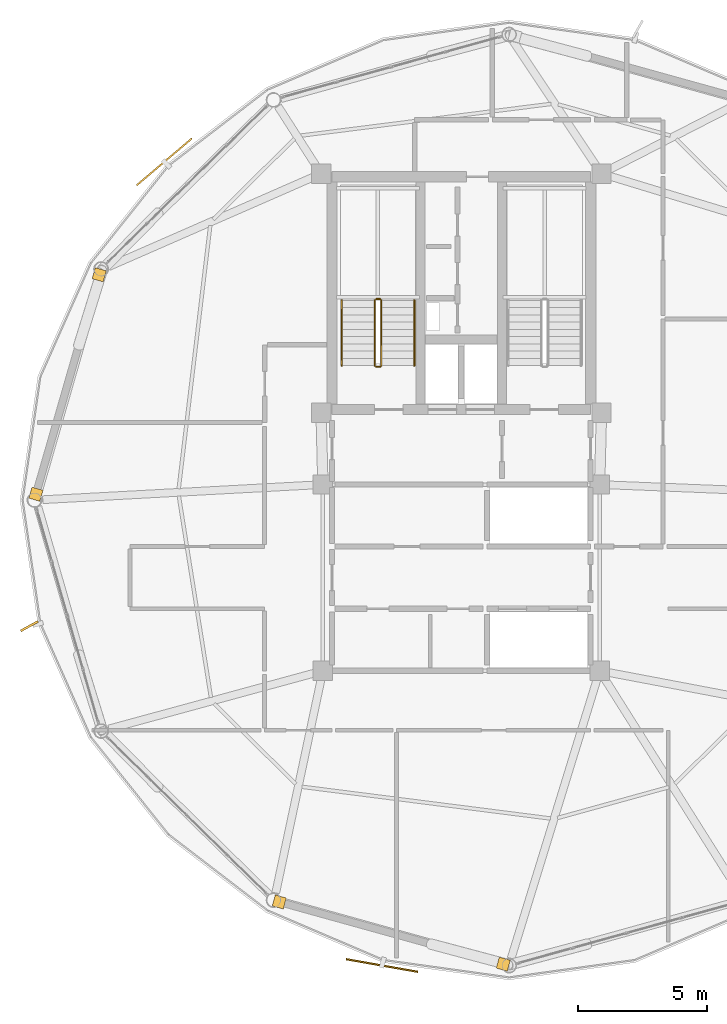
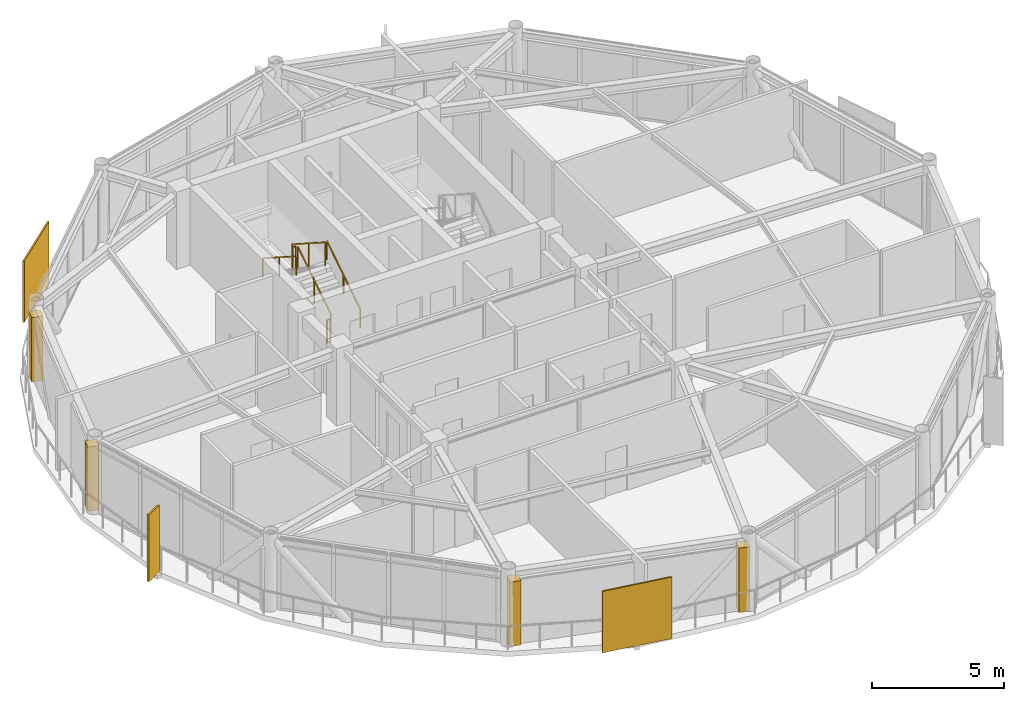
# One storey, part 24 of 26: 6 railings, 4 coverings, 3 shading devices.
"""IFC4 building model written with IfcOpenShell, lengths in metres."""

from ifc_helpers import new_model, si_unit, direction, frame, origin, origin_2d, place, context, subcontext, project, spatial, rectangle, extrude, source, transform, mapped, material, layer, layer_set, type_object, type_shapes, element, save


model = new_model("IFC4")

# Units and contexts
model_context = context("Model", 3, precision=1e-05, world=origin(), true_north=direction((0.0, 1.0)))
body_context = subcontext(model_context, "Body", "Model", "MODEL_VIEW")
ifc_project = project(units=[si_unit("LENGTHUNIT", "METRE"), si_unit("AREAUNIT", "SQUARE_METRE"), si_unit("VOLUMEUNIT", "CUBIC_METRE"), si_unit("PLANEANGLEUNIT", "RADIAN"), si_unit("MASSUNIT", "GRAM", prefix="KILO")], contexts=[model_context])

# Site, building, storey
site_placement = place(None, origin())
site = spatial("IfcSite", under=ifc_project, at=site_placement, CompositionType="ELEMENT")
building_placement = place(site_placement, origin())
building = spatial("IfcBuilding", under=site, at=building_placement, Name="Varnakorn Sky Granary", CompositionType="ELEMENT")
storey_placement = place(building_placement, frame((0.0, 0.0, 256.199951171875)))
storey = spatial("IfcBuildingStorey", under=building, at=storey_placement, Name="L65", CompositionType="ELEMENT", Elevation=256.199951171875)

# Railings
ifc_material_1 = material(Name="Brushed Stainless Steel 316", Category="steel")
railing_type_1 = type_object("IfcRailingType", Name="RL-STAIR-1100", PredefinedType="GUARDRAIL", material=ifc_material_1)
railing_1_placement = place(storey_placement, frame((-0.090087890625, 5.199951171875, 0.179931640625)))
element("IfcRailing", 1, at=railing_1_placement, inside=storey, type_object=railing_type_1, Name="L65 ST-1 stair guard 1", PredefinedType="GUARDRAIL", context=body_context, shape_type="SweptSolid", body=[
    extrude(rectangle(XDim=0.048095703125, YDim=0.048095703125, at=origin_2d()), frame((0.0, 0.0, 1.076171875), z_axis=(0.0, 0.841162588446, 0.540782303519), x_axis=(-1.0, 0.0, 0.0)), (0.0, 0.0, 1.0), 2.995849609375),
    extrude(rectangle(XDim=0.0419921875, YDim=0.0419921875, at=origin_2d()), origin(), (0.0, 0.0, 1.0), 1.048095703125),
    extrude(rectangle(XDim=0.0419921875, YDim=0.0419921875, at=origin_2d()), frame((0.0, 1.260009765625, 0.81005859375)), (0.0, 0.0, 1.0), 1.048095703125),
    extrude(rectangle(XDim=0.0419921875, YDim=0.0419921875, at=origin_2d()), frame((0.0, 2.52001953125, 1.6201171875)), (0.0, 0.0, 1.0), 1.048095703125),
])
railing_2_placement = place(storey_placement, frame((-0.139892578125, 7.77001953125, 1.800048828125)))
element("IfcRailing", 2, at=railing_2_placement, inside=storey, type_object=railing_type_1, Name="L65 ST-1 stair guard 2", PredefinedType="GUARDRAIL", context=body_context, shape_type="SweptSolid", body=[
    extrude(rectangle(XDim=0.048095703125, YDim=0.048095703125, at=origin_2d()), frame((0.0, 0.0, 1.076171875), z_axis=(-1.0, 0.0, 0.0), x_axis=(0.0, -1.0, 0.0)), (0.0, 0.0, 1.0), 0.150146484375),
    extrude(rectangle(XDim=0.0419921875, YDim=0.0419921875, at=origin_2d()), origin(), (0.0, 0.0, 1.0), 1.048095703125),
    extrude(rectangle(XDim=0.0419921875, YDim=0.0419921875, at=origin_2d()), frame((-0.150146484375, 0.0, 0.0)), (0.0, 0.0, 1.0), 1.048095703125),
])
railing_3_placement = place(storey_placement, frame((-0.340087890625, 7.719970703125, 1.97998046875)))
element("IfcRailing", 3, at=railing_3_placement, inside=storey, type_object=railing_type_1, Name="L65 ST-1 stair guard 3", PredefinedType="GUARDRAIL", context=body_context, shape_type="SweptSolid", body=[
    extrude(rectangle(XDim=0.048095703125, YDim=0.048095703125, at=origin_2d()), frame((0.0, 0.0, 1.076171875), z_axis=(0.0, -0.841162588446, 0.540782303519), x_axis=(1.0, 0.0, 0.0)), (0.0, 0.0, 1.0), 2.995849609375),
    extrude(rectangle(XDim=0.0419921875, YDim=0.0419921875, at=origin_2d()), origin(), (0.0, 0.0, 1.0), 1.048095703125),
    extrude(rectangle(XDim=0.0419921875, YDim=0.0419921875, at=origin_2d()), frame((0.0, -1.260009765625, 0.81005859375)), (0.0, 0.0, 1.0), 1.048095703125),
    extrude(rectangle(XDim=0.0419921875, YDim=0.0419921875, at=origin_2d()), frame((0.0, -2.52001953125, 1.6201171875)), (0.0, 0.0, 1.0), 1.048095703125),
])
railing_4_placement = place(storey_placement, frame((-0.139892578125, 5.14990234375, 0.0)))
element("IfcRailing", 4, at=railing_4_placement, inside=storey, type_object=railing_type_1, Name="L65 ST-1 stair guard 4", PredefinedType="GUARDRAIL", context=body_context, shape_type="SweptSolid", body=[
    extrude(rectangle(XDim=0.048095703125, YDim=0.048095703125, at=origin_2d()), frame((0.0, 0.0, 1.076171875), z_axis=(-1.0, 0.0, 0.0), x_axis=(0.0, -1.0, 0.0)), (0.0, 0.0, 1.0), 0.150146484375),
    extrude(rectangle(XDim=0.0419921875, YDim=0.0419921875, at=origin_2d()), origin(), (0.0, 0.0, 1.0), 1.048095703125),
    extrude(rectangle(XDim=0.0419921875, YDim=0.0419921875, at=origin_2d()), frame((-0.150146484375, 0.0, 0.0)), (0.0, 0.0, 1.0), 1.048095703125),
])
railing_type_2 = type_object("IfcRailingType", Name="RL-STAIR-920", PredefinedType="HANDRAIL", material=ifc_material_1)
railing_5_placement = place(storey_placement, frame((1.18994140625, 5.199951171875, 0.179931640625)))
element("IfcRailing", 5, at=railing_5_placement, inside=storey, type_object=railing_type_2, Name="L65 ST-1 stair handrail 1", PredefinedType="HANDRAIL", context=body_context, shape_type="SweptSolid", body=[
    extrude(rectangle(XDim=0.048095703125, YDim=0.048095703125, at=origin_2d()), frame((0.0, 0.0, 0.8759765625), z_axis=(0.0, 0.841162588446, 0.540782303519), x_axis=(-1.0, 0.0, 0.0)), (0.0, 0.0, 1.0), 2.995849609375),
    extrude(rectangle(XDim=0.0419921875, YDim=0.0419921875, at=origin_2d()), origin(), (0.0, 0.0, 1.0), 0.847900390625),
    extrude(rectangle(XDim=0.0419921875, YDim=0.0419921875, at=origin_2d()), frame((0.0, 1.260009765625, 0.81005859375)), (0.0, 0.0, 1.0), 0.847900390625),
    extrude(rectangle(XDim=0.0419921875, YDim=0.0419921875, at=origin_2d()), frame((0.0, 2.52001953125, 1.6201171875)), (0.0, 0.0, 1.0), 0.847900390625),
])
railing_6_placement = place(storey_placement, frame((-1.6201171875, 7.719970703125, 1.97998046875)))
element("IfcRailing", 6, at=railing_6_placement, inside=storey, type_object=railing_type_2, Name="L65 ST-1 stair handrail 2", PredefinedType="HANDRAIL", context=body_context, shape_type="SweptSolid", body=[
    extrude(rectangle(XDim=0.048095703125, YDim=0.048095703125, at=origin_2d()), frame((0.0, 0.0, 0.8759765625), z_axis=(0.0, -0.841162588446, 0.540782303519), x_axis=(1.0, 0.0, 0.0)), (0.0, 0.0, 1.0), 2.995849609375),
    extrude(rectangle(XDim=0.0419921875, YDim=0.0419921875, at=origin_2d()), origin(), (0.0, 0.0, 1.0), 0.847900390625),
    extrude(rectangle(XDim=0.0419921875, YDim=0.0419921875, at=origin_2d()), frame((0.0, -1.260009765625, 0.81005859375)), (0.0, 0.0, 1.0), 0.847900390625),
    extrude(rectangle(XDim=0.0419921875, YDim=0.0419921875, at=origin_2d()), frame((0.0, -2.52001953125, 1.6201171875)), (0.0, 0.0, 1.0), 0.847900390625),
])

# Coverings
ifc_material_2 = material(Name="Anodised Bronze Aluminium Alloy 6063-T6", Category="aluminium")
ifc_layer = layer(ifc_material_2, 0.050048828125, Name="Anodised Bronze Aluminium Alloy 6063-T6")
ifc_layer_set = layer_set([ifc_layer], Name="Anodised Bronze Aluminium Alloy 6063-T6")
covering_type = type_object("IfcCoveringType", Name="CV-CLAD-50", PredefinedType="CLADDING", material=ifc_layer_set)
shared_shape_1 = source(origin(), body_context, "Body", "SweptSolid", [
    extrude(rectangle(XDim=0.43994140625, YDim=0.43994140625, at=origin_2d()), origin(), (0.0, 0.0, 1.0), 2.989990234375),
])
type_shapes(covering_type, [shared_shape_1])
for number, where, z_axis, x_axis, name in (
    (7, (-13.445068359375, 0.225341796875, -0.02001953125), (0.0, 0.0, 1.0), (0.277146961483, 0.960827540061, 0.0), "Bronze Corner Pilaster Closure L65-P06-A"),
    (8, (-10.998291015625, 8.709716796875, -0.02001953125), (0.0, 0.0, 1.0), (0.277146961483, 0.960827540061, 0.0), "Bronze Corner Pilaster Closure L65-P06-B"),
    (9, (4.6240234375, -17.9423828125, -0.02001953125), (0.0, 0.0, 1.0), (-0.963583796636, 0.267406557249, 0.0), "Bronze Corner Pilaster Closure L65-P09-A"),
    (10, (-4.03662109375, -15.53857421875, -0.02001953125), (0.0, 0.0, 1.0), (-0.963583796636, 0.267406557249, 0.0), "Bronze Corner Pilaster Closure L65-P09-B"),
):
    element("IfcCovering", number, at=place(storey_placement, frame(where, z_axis=z_axis, x_axis=x_axis)), inside=storey, type_object=covering_type, Name=name, PredefinedType="CLADDING", context=body_context, shape_type="MappedRepresentation", body=[
        mapped(shared_shape_1, transform((0.0, 0.0, 0.0), x_axis=(1.0, 0.0, 0.0), y_axis=(0.0, 1.0, 0.0), z_axis=(0.0, 0.0, 1.0), scale=1.0)),
    ])

# Shading devices
shading_device_type_1 = type_object("IfcShadingDeviceType", Name="SH-FIN-03", PredefinedType="USERDEFINED", material=ifc_material_2)
shared_shape_2 = source(origin(), body_context, "Body", "SweptSolid", [
    extrude(rectangle(XDim=0.0849609375, YDim=0.760009765625, at=origin_2d()), origin(), (0.0, 0.0, 1.0), 3.10009765625),
])
type_shapes(shading_device_type_1, [shared_shape_2])
shading_device_placement = place(storey_placement, frame((-13.701171875, -4.876708984375, -0.0400390625), z_axis=(0.0, 0.0, 1.0), x_axis=(0.47961168228, -0.877480845501, 0.0)))
element("IfcShadingDevice", 11, at=shading_device_placement, inside=storey, type_object=shading_device_type_1, Name="Bronze Solar-Tracking Vertical Blade FIN L65-07", ObjectType="FIN", PredefinedType="USERDEFINED", context=body_context, shape_type="MappedRepresentation", body=[
    mapped(shared_shape_2, transform((0.0, 0.0, 0.0), x_axis=(1.0, 0.0, 0.0), y_axis=(0.0, 1.0, 0.0), z_axis=(0.0, 0.0, 1.0), scale=1.0)),
])
shading_device_type_2 = type_object("IfcShadingDeviceType", Name="SH-SCR-03", PredefinedType="USERDEFINED", material=ifc_material_2)
shared_shape_3 = source(origin(), body_context, "Body", "SweptSolid", [
    extrude(rectangle(XDim=2.800048828125, YDim=0.06494140625, at=origin_2d()), origin(), (0.0, 0.0, 1.0), 2.85009765625),
])
type_shapes(shading_device_type_2, [shared_shape_3])
for number, where, z_axis, x_axis, name in (
    (12, (-8.480712890625, 13.076416015625, -0.0400390625), (0.0, 0.0, 1.0), (-0.762646936333, -0.646815004852, 0.0), "Perforated Bronze Solar Screen Panel SCREEN L65-05"),
    (13, (-0.064697265625, -17.994873046875, -0.0400390625), (0.0, 0.0, 1.0), (0.984728119985, -0.17409919503, 0.0), "Perforated Bronze Solar Screen Panel SCREEN L65-09"),
):
    element("IfcShadingDevice", number, at=place(storey_placement, frame(where, z_axis=z_axis, x_axis=x_axis)), inside=storey, type_object=shading_device_type_2, Name=name, ObjectType="SCREEN", PredefinedType="USERDEFINED", context=body_context, shape_type="MappedRepresentation", body=[
        mapped(shared_shape_3, transform((0.0, 0.0, 0.0), x_axis=(1.0, 0.0, 0.0), y_axis=(0.0, 1.0, 0.0), z_axis=(0.0, 0.0, 1.0), scale=1.0)),
    ])

save(model, "model.ifc")
